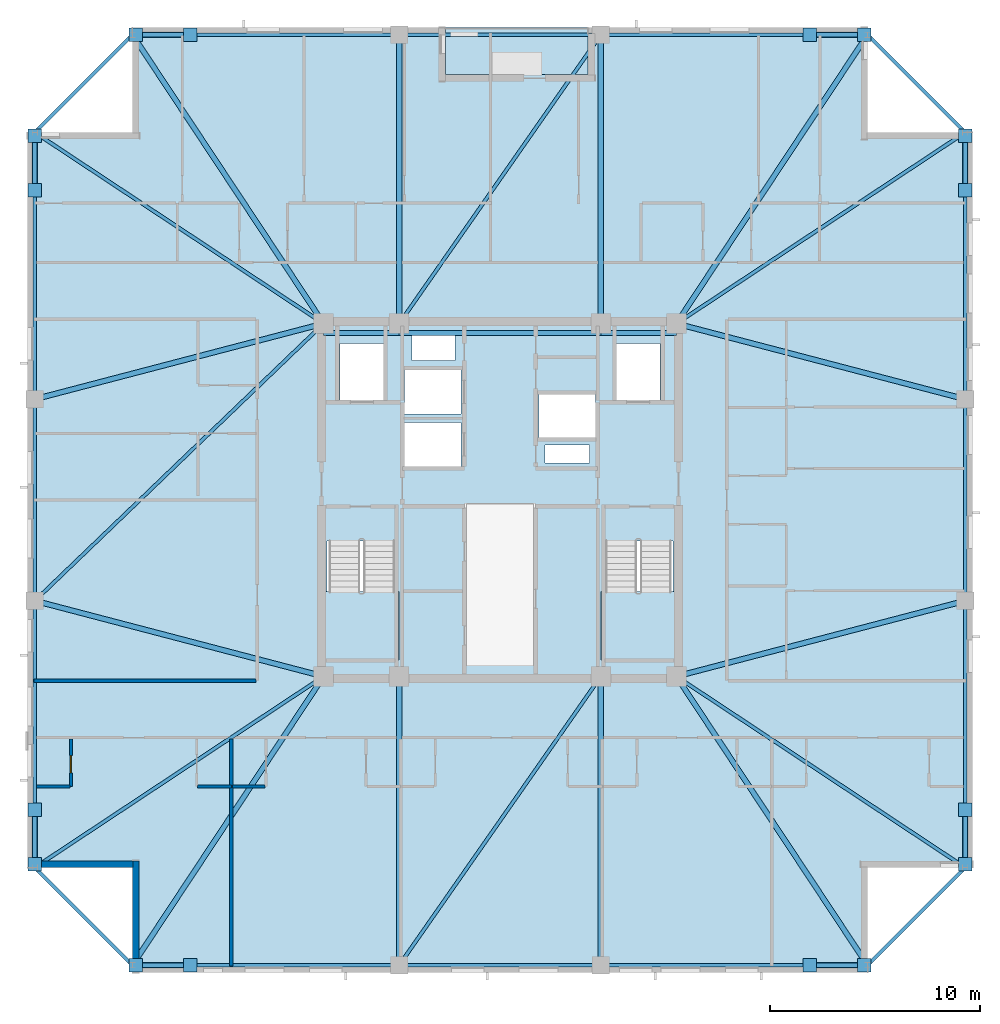
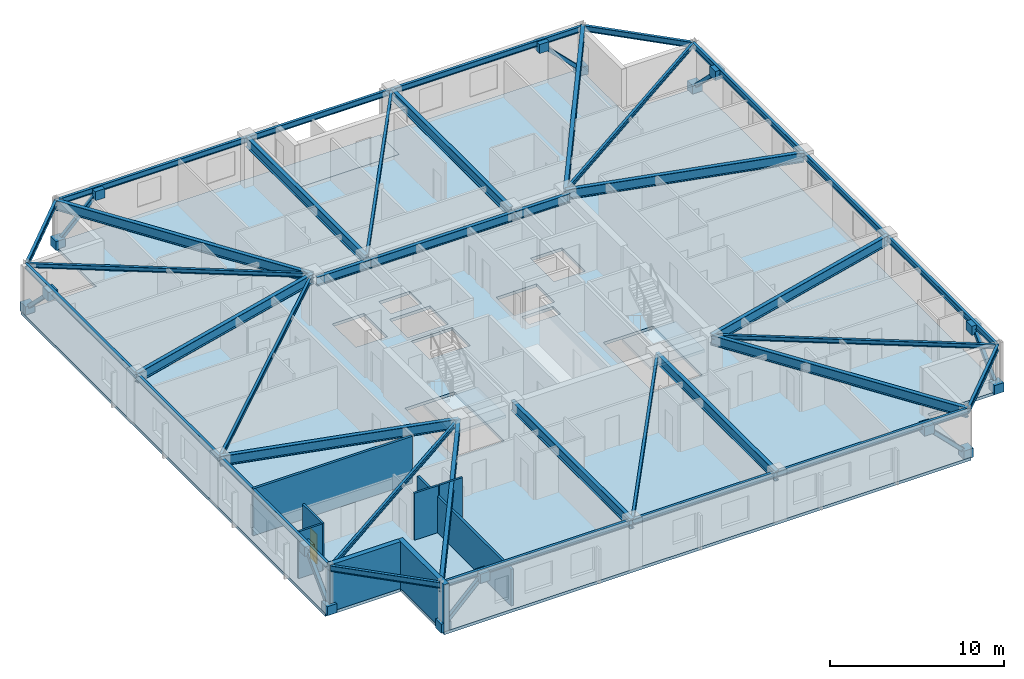
# One storey, part 6 of 17: 38 beams, 16 plates, 8 members, 8 walls, 4 slabs, 1 door, 1 opening, 2 elements without a shape of their own.
"""IFC4 building model written with IfcOpenShell, lengths in metres."""

from ifc_helpers import new_model, si_unit, direction, frame, frame_2d, origin, origin_2d, place, context, subcontext, project, spatial, polyline, rectangle, hollow_rectangle, i_section, outline, extrude, material, layer, layer_set, material_profile, profile_set, type_object, element, fill, aggregate, save


model = new_model("IFC4")

# Units and contexts
model_context = context("Model", 3, precision=1e-05, world=origin(), true_north=direction((0.0, 1.0)))
body_context = subcontext(model_context, "Body", "Model", "MODEL_VIEW")
ifc_project = project(units=[si_unit("LENGTHUNIT", "METRE"), si_unit("AREAUNIT", "SQUARE_METRE"), si_unit("VOLUMEUNIT", "CUBIC_METRE"), si_unit("PLANEANGLEUNIT", "RADIAN"), si_unit("MASSUNIT", "GRAM", prefix="KILO")], contexts=[model_context])

# Site, building, storey
site_placement = place(None, origin())
site = spatial("IfcSite", under=ifc_project, at=site_placement, CompositionType="ELEMENT")
building_placement = place(site_placement, origin())
building = spatial("IfcBuilding", under=site, at=building_placement, Name="Cairnveth Concourse Tower", CompositionType="ELEMENT")
storey_placement = place(building_placement, frame((0.0, 0.0, 213.0)))
storey = spatial("IfcBuildingStorey", under=building, at=storey_placement, Name="L58", CompositionType="ELEMENT", Elevation=213.0)

# Beams
ifc_material_1 = material(Name="Steel Grade 350", Category="steel")
ifc_material_profile_1 = material_profile(ifc_material_1, i_section(OverallWidth=0.22802734375, OverallDepth=0.60693359375, WebThickness=0.01123046875, FlangeThickness=0.017333984375, FilletRadius=0.013916015625, at=origin_2d()), Name="610UB113")
ifc_profile_set_1 = profile_set([ifc_material_profile_1], Name="Steel Grade 350")
beam_type_1 = type_object("IfcBeamType", Name="CORE TIE BEAM 610UB113", PredefinedType="T_BEAM", material=ifc_profile_set_1)
for number, where, z_axis, x_axis, name in (
    (1, (43.60009765625, 46.949951171875, 2.986572265625), (1.0, 0.0, 0.0), (0.0, 1.0, 0.0), "Beam CT-N1 L58"),
    (2, (56.800048828125, 46.949951171875, 2.986572265625), (1.0, 0.0, 0.0), (0.0, 1.0, 0.0), "Beam CT-N3 L58"),
):
    element("IfcBeam", number, at=place(storey_placement, frame(where, z_axis=z_axis, x_axis=x_axis)), inside=storey, type_object=beam_type_1, Name=name, PredefinedType="T_BEAM", context=body_context, shape_type="SweptSolid", body=[
        extrude(i_section(OverallWidth=0.22802734375, OverallDepth=0.60693359375, WebThickness=0.01123046875, FlangeThickness=0.017333984375, FilletRadius=0.013916015625, at=origin_2d()), origin(), (0.0, 0.0, 1.0), 3.599853515625),
    ])
beam_1_placement = place(storey_placement, frame((47.199951171875, 46.949951171875, 2.986572265625), z_axis=(1.0, 0.0, 0.0), x_axis=(0.0, 1.0, 0.0)))
element("IfcBeam", 3, at=beam_1_placement, inside=storey, type_object=beam_type_1, Name="Beam CT-N2 L58", PredefinedType="T_BEAM", context=body_context, shape_type="SweptSolid", body=[
    extrude(i_section(OverallWidth=0.22802734375, OverallDepth=0.60693359375, WebThickness=0.01123046875, FlangeThickness=0.017333984375, FilletRadius=0.013916015625, at=origin_2d()), origin(), (0.0, 0.0, 1.0), 9.60009765625),
])
ifc_material_profile_2 = material_profile(ifc_material_1, i_section(OverallWidth=0.166015625, OverallDepth=0.306884765625, WebThickness=0.006591796875, FlangeThickness=0.01171875, FilletRadius=0.010986328125, at=origin_2d()), Name="310UB46.2")
ifc_profile_set_2 = profile_set([ifc_material_profile_2], Name="Steel Grade 350")
beam_type_2 = type_object("IfcBeamType", Name="ZONE 3 FLOOR JOIST 310UB46.2", PredefinedType="JOIST", material=ifc_profile_set_2)
for number, where, z_axis, x_axis, name in (
    (4, (29.85009765625, 21.5, 3.136474609375), (0.833908956207, 0.551902031848, 0.0), (-0.551902031848, 0.833908956207, 0.0), "Beam FJ-CSW2 L58"),
    (5, (74.14990234375, 21.5, 3.136474609375), (-0.833908956207, 0.551902031848, 0.0), (-0.551902031848, -0.833908956207, 0.0), "Beam FJ-CSE2 L58"),
    (6, (74.14990234375, 56.5, 3.136474609375), (-0.833908956207, -0.551902031848, 0.0), (0.551902031848, -0.833908956207, 0.0), "Beam FJ-CNE2 L58"),
    (7, (29.85009765625, 56.5, 3.136474609375), (0.833908956207, -0.551902031848, 0.0), (0.551902031848, 0.833908956207, 0.0), "Beam FJ-CNW2 L58"),
):
    element("IfcBeam", number, at=place(storey_placement, frame(where, z_axis=z_axis, x_axis=x_axis)), inside=storey, type_object=beam_type_2, Name=name, PredefinedType="JOIST", context=body_context, shape_type="SweptSolid", body=[
        extrude(i_section(OverallWidth=0.166015625, OverallDepth=0.306884765625, WebThickness=0.006591796875, FlangeThickness=0.01171875, FilletRadius=0.010986328125, at=origin_2d()), origin(), (0.0, 0.0, 1.0), 16.488525390625),
    ])
for number, where, z_axis, x_axis, name in (
    (8, (47.199951171875, 16.85009765625, 3.136474609375), (0.572465304893, 0.819928944905, 0.0), (-0.819928944905, 0.572465304893, 0.0), "Beam FJ-S-M1 L58"),
    (9, (47.199951171875, 47.39990234375, 3.136474609375), (0.572465304893, 0.819928944905, 0.0), (-0.819928944905, 0.572465304893, 0.0), "Beam FJ-N-M1 L58"),
):
    element("IfcBeam", number, at=place(storey_placement, frame(where, z_axis=z_axis, x_axis=x_axis)), inside=storey, type_object=beam_type_2, Name=name, PredefinedType="JOIST", context=body_context, shape_type="SweptSolid", body=[
        extrude(i_section(OverallWidth=0.166015625, OverallDepth=0.306884765625, WebThickness=0.006591796875, FlangeThickness=0.01171875, FilletRadius=0.010986328125, at=origin_2d()), origin(), (0.0, 0.0, 1.0), 16.769775390625),
    ])
beam_2_placement = place(storey_placement, frame((29.85009765625, 34.199951171875, 3.136474609375), z_axis=(0.721388600838, 0.692530495055, 0.0), x_axis=(-0.692530495055, 0.721388600838, 0.0)))
element("IfcBeam", 10, at=beam_2_placement, inside=storey, type_object=beam_type_2, Name="Beam FJ-W-M1 L58", PredefinedType="JOIST", context=body_context, shape_type="SweptSolid", body=[
    extrude(i_section(OverallWidth=0.166015625, OverallDepth=0.306884765625, WebThickness=0.006591796875, FlangeThickness=0.01171875, FilletRadius=0.010986328125, at=origin_2d()), origin(), (0.0, 0.0, 1.0), 19.060546875),
])

# Members
ifc_material_2 = material(Name="Steel C350L0 (350 MPa)", Category="steel")
ifc_material_profile_3 = material_profile(ifc_material_2, hollow_rectangle(XDim=0.25, YDim=0.25, WallThickness=0.012451171875, InnerFilletRadius=0.012939453125, OuterFilletRadius=0.02490234375, at=origin_2d()), Name="250x250x12.5SHS")
ifc_profile_set_3 = profile_set([ifc_material_profile_3], Name="Steel C350L0 (350 MPa)")
member_type = type_object("IfcMemberType", Name="ZONE 3 PIER BRACE 250X250X12.5SHS", PredefinedType="BRACE", material=ifc_profile_set_3)
for number, where, z_axis, x_axis, name in (
    (11, (34.64990234375, 16.85009765625, 0.25), (0.708469186186, 0.0, 0.705741746126), (0.0, 1.0, 0.0), "Structural Brace PB-S1 L58"),
    (12, (69.35009765625, 16.85009765625, 0.25), (-0.708469186186, 0.0, 0.705741746126), (0.0, -1.0, 0.0), "Structural Brace PB-S2 L58"),
    (13, (34.64990234375, 61.14990234375, 0.25), (0.708469186186, 0.0, 0.705741746126), (0.0, 1.0, 0.0), "Structural Brace PB-N1 L58"),
    (14, (69.35009765625, 61.14990234375, 0.25), (-0.708469186186, 0.0, 0.705741746126), (0.0, -1.0, 0.0), "Structural Brace PB-N2 L58"),
    (15, (29.85009765625, 21.64990234375, 0.25), (0.0, 0.708469186186, 0.705741746126), (-1.0, 0.0, 0.0), "Structural Brace PB-W1 L58"),
    (16, (29.85009765625, 56.35009765625, 0.25), (0.0, -0.708469186186, 0.705741746126), (1.0, 0.0, 0.0), "Structural Brace PB-W2 L58"),
    (17, (74.14990234375, 21.64990234375, 0.25), (0.0, 0.708469186186, 0.705741746126), (-1.0, 0.0, 0.0), "Structural Brace PB-E1 L58"),
    (18, (74.14990234375, 56.35009765625, 0.25), (0.0, -0.708469186186, 0.705741746126), (1.0, 0.0, 0.0), "Structural Brace PB-E2 L58"),
):
    element("IfcMember", number, at=place(storey_placement, frame(where, z_axis=z_axis, x_axis=x_axis)), inside=storey, type_object=member_type, Name=name, PredefinedType="BRACE", context=body_context, shape_type="SweptSolid", body=[
        extrude(hollow_rectangle(XDim=0.25, YDim=0.25, WallThickness=0.012451171875, InnerFilletRadius=0.012939453125, OuterFilletRadius=0.02490234375, at=origin_2d()), origin(), (0.0, 0.0, 1.0), 3.669921875),
    ])

# Beams
ifc_material_profile_4 = material_profile(ifc_material_1, i_section(OverallWidth=0.25, OverallDepth=0.69189453125, WebThickness=0.010009765625, FlangeThickness=0.02490234375, at=origin_2d()), Name="700WB150")
ifc_profile_set_4 = profile_set([ifc_material_profile_4], Name="Steel Grade 350")
beam_type_3 = type_object("IfcBeamType", Name="ZONE 3 RADIAL GIRDER 700WB150", PredefinedType="BEAM", material=ifc_profile_set_4)
for number, where, z_axis, x_axis, name in (
    (19, (47.199951171875, 16.85009765625, 2.944091796875), (0.0, 1.0, 0.0), (-1.0, 0.0, 0.0), "Beam RG-S1 L58"),
    (20, (56.800048828125, 16.85009765625, 2.944091796875), (0.0, 1.0, 0.0), (-1.0, 0.0, 0.0), "Beam RG-S2 L58"),
    (21, (47.199951171875, 47.39990234375, 2.944091796875), (0.0, 1.0, 0.0), (-1.0, 0.0, 0.0), "Beam RG-N1 L58"),
    (22, (56.800048828125, 47.39990234375, 2.944091796875), (0.0, 1.0, 0.0), (-1.0, 0.0, 0.0), "Beam RG-N2 L58"),
):
    element("IfcBeam", number, at=place(storey_placement, frame(where, z_axis=z_axis, x_axis=x_axis)), inside=storey, type_object=beam_type_3, Name=name, PredefinedType="BEAM", context=body_context, shape_type="SweptSolid", body=[
        extrude(i_section(OverallWidth=0.25, OverallDepth=0.69189453125, WebThickness=0.010009765625, FlangeThickness=0.02490234375, at=origin_2d()), origin(), (0.0, 0.0, 1.0), 13.75),
    ])
for number, where, z_axis, x_axis, name in (
    (23, (29.85009765625, 34.199951171875, 2.944091796875), (0.967395273598, -0.253271365575, 0.0), (0.253271365575, 0.967395273598, 0.0), "Beam RG-W1 L58"),
    (24, (29.85009765625, 43.800048828125, 2.944091796875), (0.967395273598, 0.253271365575, 0.0), (-0.253271365575, 0.967395273598, 0.0), "Beam RG-W2 L58"),
    (25, (60.39990234375, 30.60009765625, 2.944091796875), (0.967395273598, 0.253271365575, 0.0), (-0.253271365575, 0.967395273598, 0.0), "Beam RG-E1 L58"),
    (26, (60.39990234375, 47.39990234375, 2.944091796875), (0.967395273598, -0.253271365575, 0.0), (0.253271365575, 0.967395273598, 0.0), "Beam RG-E2 L58"),
):
    element("IfcBeam", number, at=place(storey_placement, frame(where, z_axis=z_axis, x_axis=x_axis)), inside=storey, type_object=beam_type_3, Name=name, PredefinedType="BEAM", context=body_context, shape_type="SweptSolid", body=[
        extrude(i_section(OverallWidth=0.25, OverallDepth=0.69189453125, WebThickness=0.010009765625, FlangeThickness=0.02490234375, at=origin_2d()), origin(), (0.0, 0.0, 1.0), 14.21337890625),
    ])
for number, where, z_axis, x_axis, name in (
    (27, (34.5, 16.85009765625, 2.944091796875), (0.551902031848, 0.833908956207, 0.0), (-0.833908956207, 0.551902031848, 0.0), "Beam RG-CSW L58"),
    (28, (69.5, 16.85009765625, 2.944091796875), (-0.551902031848, 0.833908956207, 0.0), (-0.833908956207, -0.551902031848, 0.0), "Beam RG-CSE L58"),
    (29, (69.5, 61.14990234375, 2.944091796875), (-0.551902031848, -0.833908956207, 0.0), (0.833908956207, -0.551902031848, 0.0), "Beam RG-CNE L58"),
    (30, (34.5, 61.14990234375, 2.944091796875), (0.551902031848, -0.833908956207, 0.0), (0.833908956207, 0.551902031848, 0.0), "Beam RG-CNW L58"),
):
    element("IfcBeam", number, at=place(storey_placement, frame(where, z_axis=z_axis, x_axis=x_axis)), inside=storey, type_object=beam_type_3, Name=name, PredefinedType="BEAM", context=body_context, shape_type="SweptSolid", body=[
        extrude(i_section(OverallWidth=0.25, OverallDepth=0.69189453125, WebThickness=0.010009765625, FlangeThickness=0.02490234375, at=origin_2d()), origin(), (0.0, 0.0, 1.0), 16.488525390625),
    ])
ifc_material_profile_5 = material_profile(ifc_material_1, i_section(OverallWidth=0.177978515625, OverallDepth=0.406005859375, WebThickness=0.0078125, FlangeThickness=0.0126953125, FilletRadius=0.010986328125, at=origin_2d()), Name="410UB59.7")
ifc_profile_set_5 = profile_set([ifc_material_profile_5], Name="Steel Grade 350")
beam_type_4 = type_object("IfcBeamType", Name="ZONE 3 SPANDREL BEAM 410UB59.7", PredefinedType="SPANDREL", material=ifc_profile_set_5)
beam_3_placement = place(storey_placement, frame((34.5, 16.85009765625, 3.0869140625), z_axis=(1.0, 0.0, 0.0), x_axis=(0.0, 1.0, 0.0)))
element("IfcBeam", 31, at=beam_3_placement, inside=storey, type_object=beam_type_4, Name="Beam SP-S1 L58", PredefinedType="SPANDREL", context=body_context, shape_type="SweptSolid", body=[
    extrude(i_section(OverallWidth=0.177978515625, OverallDepth=0.406005859375, WebThickness=0.0078125, FlangeThickness=0.0126953125, FilletRadius=0.010986328125, at=origin_2d()), origin(), (0.0, 0.0, 1.0), 12.699951171875),
])
beam_4_placement = place(storey_placement, frame((47.199951171875, 16.85009765625, 3.0869140625), z_axis=(1.0, 0.0, 0.0), x_axis=(0.0, 1.0, 0.0)))
element("IfcBeam", 32, at=beam_4_placement, inside=storey, type_object=beam_type_4, Name="Beam SP-S2 L58", PredefinedType="SPANDREL", context=body_context, shape_type="SweptSolid", body=[
    extrude(i_section(OverallWidth=0.177978515625, OverallDepth=0.406005859375, WebThickness=0.0078125, FlangeThickness=0.0126953125, FilletRadius=0.010986328125, at=origin_2d()), origin(), (0.0, 0.0, 1.0), 9.60009765625),
])
for number, where, z_axis, x_axis, name in (
    (33, (56.800048828125, 16.85009765625, 3.0869140625), (1.0, 0.0, 0.0), (0.0, 1.0, 0.0), "Beam SP-S3 L58"),
    (34, (34.5, 61.14990234375, 3.0869140625), (1.0, 0.0, 0.0), (0.0, 1.0, 0.0), "Beam SP-N1 L58"),
):
    element("IfcBeam", number, at=place(storey_placement, frame(where, z_axis=z_axis, x_axis=x_axis)), inside=storey, type_object=beam_type_4, Name=name, PredefinedType="SPANDREL", context=body_context, shape_type="SweptSolid", body=[
        extrude(i_section(OverallWidth=0.177978515625, OverallDepth=0.406005859375, WebThickness=0.0078125, FlangeThickness=0.0126953125, FilletRadius=0.010986328125, at=origin_2d()), origin(), (0.0, 0.0, 1.0), 12.699951171875),
    ])
beam_5_placement = place(storey_placement, frame((47.199951171875, 61.14990234375, 3.0869140625), z_axis=(1.0, 0.0, 0.0), x_axis=(0.0, 1.0, 0.0)))
element("IfcBeam", 35, at=beam_5_placement, inside=storey, type_object=beam_type_4, Name="Beam SP-N2 L58", PredefinedType="SPANDREL", context=body_context, shape_type="SweptSolid", body=[
    extrude(i_section(OverallWidth=0.177978515625, OverallDepth=0.406005859375, WebThickness=0.0078125, FlangeThickness=0.0126953125, FilletRadius=0.010986328125, at=origin_2d()), origin(), (0.0, 0.0, 1.0), 9.60009765625),
])
for number, where, z_axis, x_axis, name in (
    (36, (56.800048828125, 61.14990234375, 3.0869140625), (1.0, 0.0, 0.0), (0.0, 1.0, 0.0), "Beam SP-N3 L58"),
    (37, (29.85009765625, 21.5, 3.0869140625), (0.0, 1.0, 0.0), (-1.0, 0.0, 0.0), "Beam SP-W1 L58"),
):
    element("IfcBeam", number, at=place(storey_placement, frame(where, z_axis=z_axis, x_axis=x_axis)), inside=storey, type_object=beam_type_4, Name=name, PredefinedType="SPANDREL", context=body_context, shape_type="SweptSolid", body=[
        extrude(i_section(OverallWidth=0.177978515625, OverallDepth=0.406005859375, WebThickness=0.0078125, FlangeThickness=0.0126953125, FilletRadius=0.010986328125, at=origin_2d()), origin(), (0.0, 0.0, 1.0), 12.699951171875),
    ])
beam_6_placement = place(storey_placement, frame((29.85009765625, 34.199951171875, 3.0869140625), z_axis=(0.0, 1.0, 0.0), x_axis=(-1.0, 0.0, 0.0)))
element("IfcBeam", 38, at=beam_6_placement, inside=storey, type_object=beam_type_4, Name="Beam SP-W2 L58", PredefinedType="SPANDREL", context=body_context, shape_type="SweptSolid", body=[
    extrude(i_section(OverallWidth=0.177978515625, OverallDepth=0.406005859375, WebThickness=0.0078125, FlangeThickness=0.0126953125, FilletRadius=0.010986328125, at=origin_2d()), origin(), (0.0, 0.0, 1.0), 9.60009765625),
])
for number, where, z_axis, x_axis, name in (
    (39, (29.85009765625, 43.800048828125, 3.0869140625), (0.0, 1.0, 0.0), (-1.0, 0.0, 0.0), "Beam SP-W3 L58"),
    (40, (74.14990234375, 21.5, 3.0869140625), (0.0, 1.0, 0.0), (-1.0, 0.0, 0.0), "Beam SP-E1 L58"),
):
    element("IfcBeam", number, at=place(storey_placement, frame(where, z_axis=z_axis, x_axis=x_axis)), inside=storey, type_object=beam_type_4, Name=name, PredefinedType="SPANDREL", context=body_context, shape_type="SweptSolid", body=[
        extrude(i_section(OverallWidth=0.177978515625, OverallDepth=0.406005859375, WebThickness=0.0078125, FlangeThickness=0.0126953125, FilletRadius=0.010986328125, at=origin_2d()), origin(), (0.0, 0.0, 1.0), 12.699951171875),
    ])
beam_7_placement = place(storey_placement, frame((74.14990234375, 34.199951171875, 3.0869140625), z_axis=(0.0, 1.0, 0.0), x_axis=(-1.0, 0.0, 0.0)))
element("IfcBeam", 41, at=beam_7_placement, inside=storey, type_object=beam_type_4, Name="Beam SP-E2 L58", PredefinedType="SPANDREL", context=body_context, shape_type="SweptSolid", body=[
    extrude(i_section(OverallWidth=0.177978515625, OverallDepth=0.406005859375, WebThickness=0.0078125, FlangeThickness=0.0126953125, FilletRadius=0.010986328125, at=origin_2d()), origin(), (0.0, 0.0, 1.0), 9.60009765625),
])
beam_8_placement = place(storey_placement, frame((74.14990234375, 43.800048828125, 3.0869140625), z_axis=(0.0, 1.0, 0.0), x_axis=(-1.0, 0.0, 0.0)))
element("IfcBeam", 42, at=beam_8_placement, inside=storey, type_object=beam_type_4, Name="Beam SP-E3 L58", PredefinedType="SPANDREL", context=body_context, shape_type="SweptSolid", body=[
    extrude(i_section(OverallWidth=0.177978515625, OverallDepth=0.406005859375, WebThickness=0.0078125, FlangeThickness=0.0126953125, FilletRadius=0.010986328125, at=origin_2d()), origin(), (0.0, 0.0, 1.0), 12.699951171875),
])
for number, where, z_axis, x_axis, name in (
    (43, (29.85009765625, 21.5, 3.0869140625), (0.707106781187, -0.707106781187, 0.0), (0.707106781187, 0.707106781187, 0.0), "Beam SP-SW L58"),
    (44, (69.5, 16.85009765625, 3.0869140625), (0.707106781187, 0.707106781187, 0.0), (-0.707106781187, 0.707106781187, 0.0), "Beam SP-SE L58"),
    (45, (69.5, 61.14990234375, 3.0869140625), (0.707106781187, -0.707106781187, 0.0), (0.707106781187, 0.707106781187, 0.0), "Beam SP-NE L58"),
    (46, (29.85009765625, 56.5, 3.0869140625), (0.707106781187, 0.707106781187, 0.0), (-0.707106781187, 0.707106781187, 0.0), "Beam SP-NW L58"),
):
    element("IfcBeam", number, at=place(storey_placement, frame(where, z_axis=z_axis, x_axis=x_axis)), inside=storey, type_object=beam_type_4, Name=name, PredefinedType="SPANDREL", context=body_context, shape_type="SweptSolid", body=[
        extrude(i_section(OverallWidth=0.177978515625, OverallDepth=0.406005859375, WebThickness=0.0078125, FlangeThickness=0.0126953125, FilletRadius=0.010986328125, at=origin_2d()), origin(), (0.0, 0.0, 1.0), 6.575927734375),
    ])

# Plates
ifc_layer_1 = layer(ifc_material_1, 0.031982421875)
ifc_layer_set_1 = layer_set([ifc_layer_1], Name="Steel Grade 350")
plate_type = type_object("IfcPlateType", Name="PERIMETER BRACE GUSSET PLATE 32", PredefinedType="USERDEFINED", material=ifc_layer_set_1)
for number, where, z_axis, x_axis, name in (
    (47, (34.64990234375, 16.85009765625, -0.06982421875), (0.0, 0.0, 1.0), (1.0, 0.0, 0.0), "Structural Node Plate 1013 L58"),
    (48, (37.25, 16.85009765625, 2.52001953125), (0.0, 0.0, 1.0), (1.0, 0.0, 0.0), "Structural Node Plate 1014 L58"),
    (49, (69.35009765625, 16.85009765625, -0.06982421875), (0.0, 0.0, 1.0), (1.0, 0.0, 0.0), "Structural Node Plate 1015 L58"),
    (50, (66.75, 16.85009765625, 2.52001953125), (0.0, 0.0, 1.0), (1.0, 0.0, 0.0), "Structural Node Plate 1016 L58"),
    (51, (34.64990234375, 61.14990234375, -0.06982421875), (0.0, 0.0, 1.0), (1.0, 0.0, 0.0), "Structural Node Plate 1017 L58"),
    (52, (37.25, 61.14990234375, 2.52001953125), (0.0, 0.0, 1.0), (1.0, 0.0, 0.0), "Structural Node Plate 1018 L58"),
    (53, (69.35009765625, 61.14990234375, -0.06982421875), (0.0, 0.0, 1.0), (1.0, 0.0, 0.0), "Structural Node Plate 1019 L58"),
    (54, (66.75, 61.14990234375, 2.52001953125), (0.0, 0.0, 1.0), (1.0, 0.0, 0.0), "Structural Node Plate 1020 L58"),
    (55, (29.85009765625, 21.64990234375, -0.06982421875), (0.0, 0.0, 1.0), (1.0, 0.0, 0.0), "Structural Node Plate 1021 L58"),
    (56, (29.85009765625, 24.25, 2.52001953125), (0.0, 0.0, 1.0), (1.0, 0.0, 0.0), "Structural Node Plate 1022 L58"),
    (57, (29.85009765625, 56.35009765625, -0.06982421875), (0.0, 0.0, 1.0), (1.0, 0.0, 0.0), "Structural Node Plate 1023 L58"),
    (58, (29.85009765625, 53.75, 2.52001953125), (0.0, 0.0, 1.0), (1.0, 0.0, 0.0), "Structural Node Plate 1024 L58"),
    (59, (74.14990234375, 21.64990234375, -0.06982421875), (0.0, 0.0, 1.0), (1.0, 0.0, 0.0), "Structural Node Plate 1025 L58"),
    (60, (74.14990234375, 24.25, 2.52001953125), (0.0, 0.0, 1.0), (1.0, 0.0, 0.0), "Structural Node Plate 1026 L58"),
    (61, (74.14990234375, 56.35009765625, -0.06982421875), (0.0, 0.0, 1.0), (1.0, 0.0, 0.0), "Structural Node Plate 1027 L58"),
    (62, (74.14990234375, 53.75, 2.52001953125), (0.0, 0.0, 1.0), (1.0, 0.0, 0.0), "Structural Node Plate 1028 L58"),
):
    element("IfcPlate", number, at=place(storey_placement, frame(where, z_axis=z_axis, x_axis=x_axis)), inside=storey, type_object=plate_type, Name=name, ObjectType="GUSSET PLATE", PredefinedType="USERDEFINED", context=body_context, shape_type="SweptSolid", body=[
        extrude(rectangle(XDim=0.639892578125, YDim=0.639892578125, at=origin_2d()), origin(), (0.0, 0.0, 1.0), 0.639892578125),
    ])

# Slab
ifc_material_3 = material(Name="Concrete N50 (50 MPa)", Category="concrete")
ifc_layer_2 = layer(ifc_material_3, 0.18994140625)
ifc_layer_set_2 = layer_set([ifc_layer_2], Name="Concrete N50 (50 MPa)")
slab_type_1 = type_object("IfcSlabType", Name="SPIRAL OUTDOOR TERRACE SLAB 190", PredefinedType="FLOOR", material=ifc_layer_set_2)
slab_1_placement = place(storey_placement, frame((0.0, 0.0, -0.18994140625)))
element("IfcSlab", 63, at=slab_1_placement, inside=storey, type_object=slab_type_1, Name="Spiral Terrace Slab L58", PredefinedType="FLOOR", context=body_context, shape_type="SweptSolid", body=[
    extrude(outline(polyline([(49.39990234375, 59.25), (56.199951171875, 59.25), (56.199951171875, 61.5), (49.39990234375, 61.5), (49.39990234375, 59.25)])), origin(), (0.0, 0.0, 1.0), 0.18994140625),
])

# Stair, slab
ifc_material_4 = material(Name="Precast concrete N50 (50 MPa)", Category="concrete")
stair_type = type_object("IfcStairType", Name="CORE DOG-LEG FIRE STAIR 1500", PredefinedType="HALF_TURN_STAIR", material=ifc_material_4)
stair_1_placement = place(storey_placement, origin())
stair_1 = element("IfcStair", 64, at=stair_1_placement, inside=storey, type_object=stair_type, Name="L58 Fire-Isolated Stair ST-1", PredefinedType="HALF_TURN_STAIR")
ifc_layer_3 = layer(ifc_material_3, 0.199951171875)
ifc_layer_set_3 = layer_set([ifc_layer_3], Name="Concrete N50 (50 MPa)")
slab_type_2 = type_object("IfcSlabType", Name="STAIR HALF LANDING SLAB 200", PredefinedType="LANDING", material=ifc_layer_set_3)
slab_2_placement = place(storey_placement, frame((0.0, 0.0, 1.550048828125)))
slab_2 = element("IfcSlab", 65, at=slab_2_placement, type_object=slab_type_2, Name="ST-1 landing 1", PredefinedType="LANDING", context=body_context, shape_type="SweptSolid", body=[
    extrude(outline(polyline([(43.6201171875, 34.639892578125), (43.6201171875, 31.3701171875), (47.199951171875, 31.3701171875), (47.199951171875, 34.639892578125), (43.6201171875, 34.639892578125)])), origin(), (0.0, 0.0, 1.0), 0.199951171875),
])
aggregate(stair_1, [slab_2])

stair_2_placement = place(storey_placement, origin())
stair_2 = element("IfcStair", 66, at=stair_2_placement, inside=storey, type_object=stair_type, Name="L58 Fire-Isolated Stair ST-2", PredefinedType="HALF_TURN_STAIR")
slab_3_placement = place(storey_placement, frame((0.0, 0.0, 1.550048828125)))
slab_3 = element("IfcSlab", 67, at=slab_3_placement, type_object=slab_type_2, Name="ST-2 landing 1", PredefinedType="LANDING", context=body_context, shape_type="SweptSolid", body=[
    extrude(outline(polyline([(56.800048828125, 34.639892578125), (56.800048828125, 31.3701171875), (60.3798828125, 31.3701171875), (60.3798828125, 34.639892578125), (56.800048828125, 34.639892578125)])), origin(), (0.0, 0.0, 1.0), 0.199951171875),
])
aggregate(stair_2, [slab_3])

# Slab
ifc_layer_4 = layer(ifc_material_3, 0.2099609375)
ifc_layer_set_4 = layer_set([ifc_layer_4], Name="Concrete N50 (50 MPa)")
slab_type_3 = type_object("IfcSlabType", Name="UPPER TOWER COMPOSITE SLAB 210", PredefinedType="FLOOR", material=ifc_layer_set_4)
slab_4_placement = place(storey_placement, frame((0.0, 0.0, -0.2099609375)))
element("IfcSlab", 68, at=slab_4_placement, inside=storey, type_object=slab_type_3, Name="Tower Floor Slab L58", PredefinedType="FLOOR", context=body_context, shape_type="SweptSolid", body=[
    extrude(outline(polyline([(56.199951171875, 61.5), (56.199951171875, 59.25), (49.39990234375, 59.25), (49.39990234375, 61.5), (34.5, 61.5), (34.5, 56.5), (29.5, 56.5), (29.5, 21.5), (34.5, 21.5), (34.5, 16.5), (69.5, 16.5), (69.5, 21.5), (74.5, 21.5), (74.5, 56.5), (69.5, 56.5), (69.5, 61.5), (56.199951171875, 61.5)]), holes=[polyline([(43.760009765625, 31.360107421875), (47.06005859375, 31.360107421875), (47.06005859375, 37.0400390625), (43.760009765625, 37.0400390625), (43.760009765625, 31.360107421875)]), polyline([(56.93994140625, 31.360107421875), (60.239990234375, 31.360107421875), (60.239990234375, 37.0400390625), (56.93994140625, 37.0400390625), (56.93994140625, 31.360107421875)]), polyline([(44.3701171875, 43.75), (46.469970703125, 43.75), (46.469970703125, 46.449951171875), (44.3701171875, 46.449951171875), (44.3701171875, 43.75)]), polyline([(57.530029296875, 43.75), (59.6298828125, 43.75), (59.6298828125, 46.449951171875), (57.530029296875, 46.449951171875), (57.530029296875, 43.75)]), polyline([(47.449951171875, 40.60009765625), (50.14990234375, 40.60009765625), (50.14990234375, 42.699951171875), (47.449951171875, 42.699951171875), (47.449951171875, 40.60009765625)]), polyline([(47.449951171875, 43.10009765625), (50.14990234375, 43.10009765625), (50.14990234375, 45.199951171875), (47.449951171875, 45.199951171875), (47.449951171875, 43.10009765625)]), polyline([(53.85009765625, 41.949951171875), (56.550048828125, 41.949951171875), (56.550048828125, 44.050048828125), (53.85009765625, 44.050048828125), (53.85009765625, 41.949951171875)]), polyline([(47.800048828125, 45.64990234375), (49.85009765625, 45.64990234375), (49.85009765625, 47.050048828125), (47.800048828125, 47.050048828125), (47.800048828125, 45.64990234375)]), polyline([(54.14990234375, 40.75), (56.25, 40.75), (56.25, 41.6201171875), (54.14990234375, 41.6201171875), (54.14990234375, 40.75)])]), origin(), (0.0, 0.0, 1.0), 0.2099609375),
])

# Walls
ifc_material_5 = material(Name="Gypsum Plasterboard Partition", Category="gypsum")
ifc_layer_5 = layer(ifc_material_5, 0.159912109375)
ifc_layer_set_5 = layer_set([ifc_layer_5], Name="Gypsum Plasterboard Partition")
wall_type_1 = type_object("IfcWallType", Name="ACOUSTIC PARTY WALL 180", PredefinedType="PARTITIONING", material=ifc_layer_set_5)
wall_1_placement = place(storey_placement, frame((29.804931640625, 30.39990234375, 0.0), z_axis=(0.0, 0.0, 1.0), x_axis=(1.0, 0.0, 0.0)))
element("IfcWall", 69, at=wall_1_placement, inside=storey, type_object=wall_type_1, Name="Interior Wall IW-L58-039", PredefinedType="PARTITIONING", context=body_context, shape_type="SweptSolid", body=[
    extrude(rectangle(XDim=10.580078125, YDim=0.159912109375, at=frame_2d((5.2900390625, 0.0))), origin(), (0.0, 0.0, 1.0), 3.2900390625),
])
wall_2_placement = place(storey_placement, frame((39.20703125, 16.804931640625, 0.0), z_axis=(0.0, 0.0, 1.0), x_axis=(0.0, 1.0, 0.0)))
element("IfcWall", 70, at=wall_2_placement, inside=storey, type_object=wall_type_1, Name="Interior Wall IW-L58-047", PredefinedType="PARTITIONING", context=body_context, shape_type="SweptSolid", body=[
    extrude(rectangle(XDim=10.80517578125, YDim=0.159912109375, at=frame_2d((5.402587890625, 0.0))), origin(), (0.0, 0.0, 1.0), 2.572998046875),
])

# Wall, opening, door
ifc_layer_6 = layer(ifc_material_5, 0.1298828125)
ifc_layer_set_6 = layer_set([ifc_layer_6], Name="Gypsum Plasterboard Partition")
wall_type_2 = type_object("IfcWallType", Name="WET AREA PARTITION 140", PredefinedType="PLUMBINGWALL", material=ifc_layer_set_6)
wall_3_placement = place(storey_placement, frame((31.570068359375, 25.360107421875, 0.0), z_axis=(0.0, 0.0, 1.0), x_axis=(0.0, 1.0, 0.0)))
wall_3 = element("IfcWall", 71, at=wall_3_placement, inside=storey, type_object=wall_type_2, Name="Interior Wall IW-L58-043", PredefinedType="PLUMBINGWALL", context=body_context, shape_type="SweptSolid", body=[
    extrude(rectangle(XDim=2.25, YDim=0.1298828125, at=frame_2d((1.125, 0.0))), origin(), (0.0, 0.0, 1.0), 3.2900390625),
])
opening_placement = place(wall_3_placement, frame((0.64990234375, 0.0, 0.0)))
opening = element("IfcOpeningElement", 72, at=opening_placement, cuts=wall_3, Name="Opening ID22", PredefinedType="OPENING", context=body_context, shape_type="SweptSolid", body=[
    extrude(rectangle(XDim=0.820068359375, YDim=2.10009765625, at=frame_2d((0.41015625, 1.050048828125))), frame((0.0, 0.074951171875, 0.0), z_axis=(0.0, -1.0, 0.0), x_axis=(1.0, 0.0, 0.0)), (0.0, 0.0, 1.0), 0.14990234375),
])
ifc_material_6 = material(Name="Solid Core Hardwood Timber Leaf", Category="wood")
door_type = type_object("IfcDoorType", Name="INTERIOR WC DOOR 820X2100", OperationType="NOTDEFINED", PredefinedType="DOOR", material=ifc_material_6)
door_placement = place(opening_placement, origin())
door = element("IfcDoor", 73, at=door_placement, inside=storey, type_object=door_type, Name="L58STS1 Bathroom Door", OperationType="SINGLE_SWING_RIGHT", OverallHeight=2.10009765625, OverallWidth=0.820068359375, PredefinedType="DOOR", context=body_context, shape_type="SweptSolid", body=[
    extrude(rectangle(XDim=0.820068359375, YDim=2.10009765625, at=frame_2d((0.41015625, 1.050048828125))), frame((0.0, 0.02490234375, 0.0), z_axis=(0.0, -1.0, 0.0), x_axis=(1.0, 0.0, 0.0)), (0.0, 0.0, 1.0), 0.050048828125),
])
fill(opening, door)

# Walls
for number, where, z_axis, x_axis, name in (
    (74, (29.919921875, 25.360107421875, 0.0), (0.0, 0.0, 1.0), (1.0, 0.0, 0.0), "Interior Wall IW-L58-044"),
    (75, (37.60693359375, 25.360107421875, 0.0), (0.0, 0.0, 1.0), (1.0, 0.0, 0.0), "Interior Wall IW-L58-046"),
):
    element("IfcWall", number, at=place(storey_placement, frame(where, z_axis=z_axis, x_axis=x_axis)), inside=storey, type_object=wall_type_2, Name=name, PredefinedType="PLUMBINGWALL", context=body_context, shape_type="SweptSolid", body=[
        extrude(rectangle(XDim=1.60009765625, YDim=0.1298828125, at=frame_2d((0.800048828125, 0.0))), origin(), (0.0, 0.0, 1.0), 3.2900390625),
    ])
wall_4_placement = place(storey_placement, frame((39.27197265625, 25.360107421875, 0.0), z_axis=(0.0, 0.0, 1.0), x_axis=(1.0, 0.0, 0.0)))
element("IfcWall", 76, at=wall_4_placement, inside=storey, type_object=wall_type_2, Name="Interior Wall IW-L58-049", PredefinedType="PLUMBINGWALL", context=body_context, shape_type="SweptSolid", body=[
    extrude(rectangle(XDim=1.534912109375, YDim=0.1298828125, at=frame_2d((0.767578125, 0.0))), origin(), (0.0, 0.0, 1.0), 3.2900390625),
])
ifc_material_7 = material(Name="Melbourne Buff Fired Clay Brick Masonry", Category="masonry")
ifc_layer_7 = layer(ifc_material_7, 0.320068359375)
ifc_layer_set_7 = layer_set([ifc_layer_7], Name="Melbourne Buff Fired Clay Brick Masonry")
wall_type_3 = type_object("IfcWallType", Name="ZONE 3 BRICK PIER SPANDREL WALL 320", PredefinedType="SOLIDWALL", material=ifc_layer_set_7)
wall_5_placement = place(storey_placement, frame((34.659912109375, 16.5, 0.0), z_axis=(0.0, 0.0, 1.0), x_axis=(0.0, 1.0, 0.0)))
element("IfcWall", 77, at=wall_5_placement, inside=storey, type_object=wall_type_3, Name="Exterior Wall EW-L58-S07", PredefinedType="SOLIDWALL", context=body_context, shape_type="SweptSolid", body=[
    extrude(rectangle(XDim=5.320068359375, YDim=0.320068359375, at=frame_2d((2.66015625, 0.0))), origin(), (0.0, 0.0, 1.0), 3.2900390625),
])
wall_6_placement = place(storey_placement, frame((34.52197265625, 21.659912109375, 0.0), z_axis=(0.0, 0.0, 1.0), x_axis=(-1.0, 0.0, 0.0)))
element("IfcWall", 78, at=wall_6_placement, inside=storey, type_object=wall_type_3, Name="Exterior Wall EW-L58-S08", PredefinedType="SOLIDWALL", context=body_context, shape_type="SweptSolid", body=[
    extrude(rectangle(XDim=4.723876953125, YDim=0.320068359375, at=frame_2d((2.36181640625, 0.0))), origin(), (0.0, 0.0, 1.0), 3.2900390625),
])

save(model, "model.ifc")
